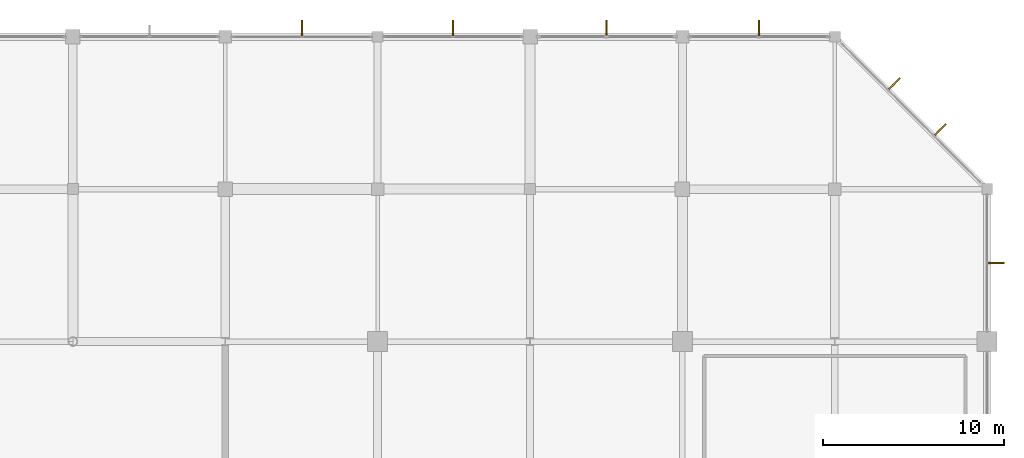
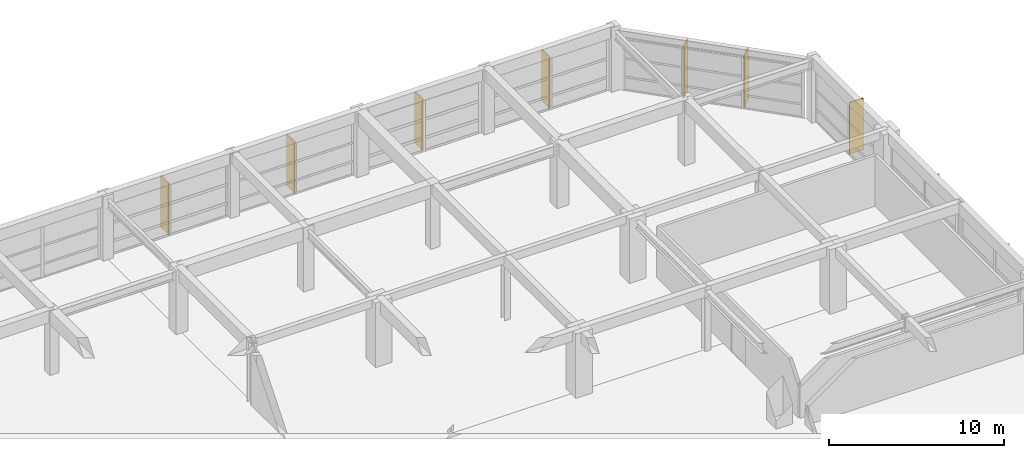
# One storey, part 62 of 62: 7 shading devices.
"""IFC4 building model written with IfcOpenShell, lengths in metres."""

from ifc_helpers import new_model, si_unit, direction, frame, origin, origin_2d, place, context, subcontext, project, spatial, rectangle, extrude, material, type_object, element, save


model = new_model("IFC4")

# Units and contexts
model_context = context("Model", 3, precision=1e-05, world=origin(), true_north=direction((0.0, 1.0)))
body_context = subcontext(model_context, "Body", "Model", "MODEL_VIEW")
ifc_project = project(units=[si_unit("LENGTHUNIT", "METRE"), si_unit("AREAUNIT", "SQUARE_METRE"), si_unit("VOLUMEUNIT", "CUBIC_METRE"), si_unit("PLANEANGLEUNIT", "RADIAN"), si_unit("MASSUNIT", "GRAM", prefix="KILO")], contexts=[model_context])

# Site, building, storey
site_placement = place(None, origin())
site = spatial("IfcSite", under=ifc_project, at=site_placement, CompositionType="ELEMENT")
building_placement = place(site_placement, origin())
building = spatial("IfcBuilding", under=site, at=building_placement, Name="Xuanlan Plaza Opera House", CompositionType="ELEMENT")
storey_placement = place(building_placement, frame((0.0, 0.0, 14.39990234375)))
storey = spatial("IfcBuildingStorey", under=building, at=storey_placement, Name="L03", CompositionType="ELEMENT", Elevation=14.39990234375)

# Shading devices
ifc_material = material(Name="Anodised Aluminium 6063-T6", Category="aluminium")
shading_device_type = type_object("IfcShadingDeviceType", Name="ENV-SHD-BRS02", PredefinedType="JALOUSIE", material=ifc_material)
for number, where, z_axis, x_axis, name in (
    (1, (168.465087890625, 88.324951171875, 0.0400390625), (0.0, 0.0, 1.0), (1.0, 0.0, 0.0), "Parametric Sunshade Fin L03-0174"),
    (2, (165.395751953125, 95.661865234375, 0.0400390625), (0.0, 0.0, 1.0), (0.707106781187, 0.707106781187, 0.0), "Parametric Sunshade Fin L03-0175"),
    (3, (162.86181640625, 98.19580078125, 0.0400390625), (0.0, 0.0, 1.0), (0.707106781187, 0.707106781187, 0.0), "Parametric Sunshade Fin L03-0176"),
    (4, (155.425048828125, 101.264892578125, 0.0400390625), (0.0, 0.0, 1.0), (0.0, 1.0, 0.0), "Parametric Sunshade Fin L03-0177"),
    (5, (147.02490234375, 101.264892578125, 0.0400390625), (0.0, 0.0, 1.0), (0.0, 1.0, 0.0), "Parametric Sunshade Fin L03-0178"),
    (6, (138.550048828125, 101.264892578125, 0.0400390625), (0.0, 0.0, 1.0), (0.0, 1.0, 0.0), "Parametric Sunshade Fin L03-0179"),
    (7, (130.22509765625, 101.264892578125, 0.0400390625), (0.0, 0.0, 1.0), (0.0, 1.0, 0.0), "Parametric Sunshade Fin L03-0180"),
):
    element("IfcShadingDevice", number, at=place(storey_placement, frame(where, z_axis=z_axis, x_axis=x_axis)), inside=storey, type_object=shading_device_type, Name=name, PredefinedType="JALOUSIE", context=body_context, shape_type="SweptSolid", body=[
        extrude(rectangle(XDim=0.919921875, YDim=0.080078125, at=origin_2d()), origin(), (0.0, 0.0, 1.0), 3.60009765625),
    ])

save(model, "model.ifc")
